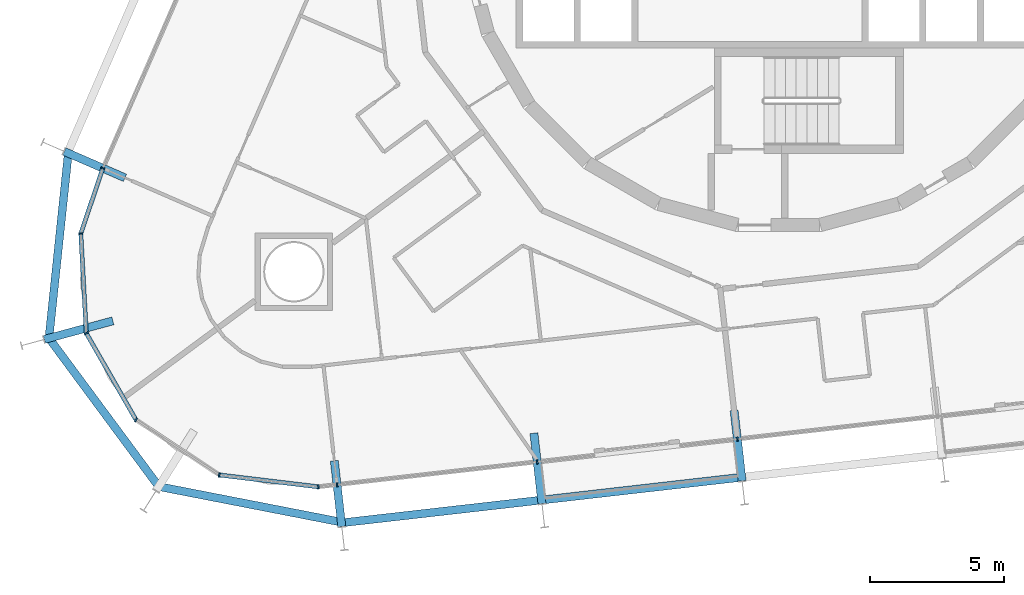
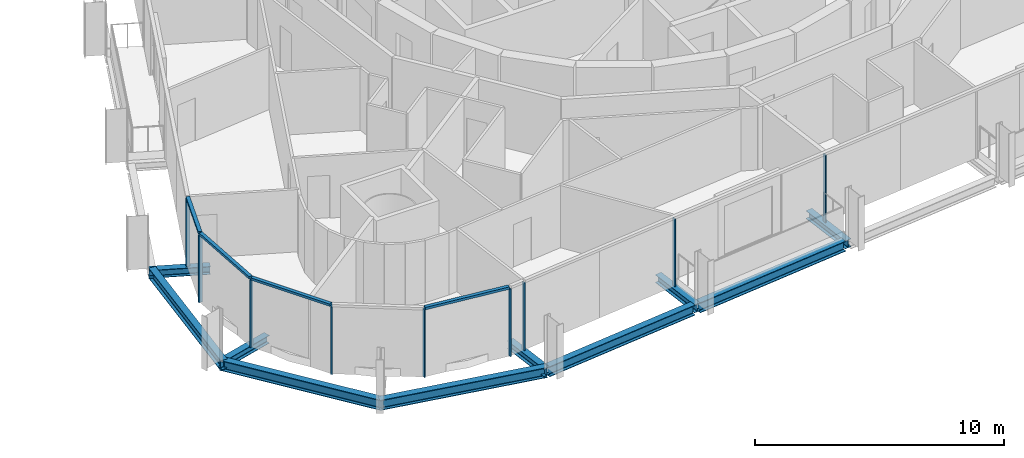
# One storey, part 3 of 23: 13 members, 10 beams, 2 elements without a shape of their own.
"""IFC4 building model written with IfcOpenShell, lengths in metres."""

import ifcopenshell
import ifcopenshell.guid

model = None  # the IFC model being written
_history = None  # IfcOwnerHistory: only IFC2X3 demands one
_inside = {}  # id of a spatial element -> (the spatial element, [elements in it])
_under = {}  # id of a project, library or spatial element -> (it, [spatial elements below it])
_declared = {}  # id of a project -> (the project, [libraries it declares])
_typed = {}  # id of a type object -> (the type object, [elements of that type])
_made_of = {}  # id of a material, layer set ... -> (it, [elements and type objects made of it])


def new_model(schema):
    """Start an empty IFC model of exactly this schema.

    Asked for "IFC4X3", IfcOpenShell would pick the latest addendum, in which some entities
    have other attributes; the version numbers below select the first issue.
    IFC2X3 requires an IfcOwnerHistory on every rooted entity: one is made here for all.
    """
    global model, _history
    if schema == "IFC4X3":
        model = ifcopenshell.file(schema_version=(4, 3, 0, 0))
    else:
        model = ifcopenshell.file(schema=schema)
    _inside.clear()
    _under.clear()
    _declared.clear()
    _typed.clear()
    _made_of.clear()
    _history = None
    if model.schema == "IFC2X3":
        org = make("IfcOrganization", Name="unknown")
        user = make(
            "IfcPersonAndOrganization",
            ThePerson=make("IfcPerson", FamilyName="unknown"),
            TheOrganization=org,
        )
        app = make(
            "IfcApplication",
            ApplicationDeveloper=org,
            Version="unknown",
            ApplicationFullName="unknown",
            ApplicationIdentifier="unknown",
        )
        _history = make(
            "IfcOwnerHistory",
            OwningUser=user,
            OwningApplication=app,
            ChangeAction="ADDED",
            CreationDate=0,
        )
    return model


def make(cls, **values):
    """One entity of the class cls with the attributes given. An attribute that is None is left unset."""
    return model.create_entity(
        cls, **{name: value for name, value in values.items() if value is not None}
    )


def rooted(cls, **values):
    """An entity with a GlobalId (a new one), such as an element, a storey or a relation."""
    return make(cls, GlobalId=ifcopenshell.guid.new(), OwnerHistory=_history, **values)


def si_unit(unit_type, name, prefix=None):
    """IfcSIUnit, for example si_unit("LENGTHUNIT", "METRE", prefix="MILLI")."""
    return make("IfcSIUnit", UnitType=unit_type, Prefix=prefix, Name=name)


def assignment(units):
    """IfcUnitAssignment: the units of a project."""
    return None if units is None else make("IfcUnitAssignment", Units=units)


def point(xyz):
    """IfcCartesianPoint."""
    return None if xyz is None else make("IfcCartesianPoint", Coordinates=xyz)


def direction(xyz):
    """IfcDirection."""
    return None if xyz is None else make("IfcDirection", DirectionRatios=xyz)


def frame(location, z_axis=None, x_axis=None):
    """IfcAxis2Placement3D, a coordinate frame: its origin and axes. An axis left out is left unset."""
    return make(
        "IfcAxis2Placement3D",
        Location=point(location),
        Axis=direction(z_axis),
        RefDirection=direction(x_axis),
    )


def frame_2d(location, x_axis=None):
    """IfcAxis2Placement2D, a coordinate frame in the plane: its origin and x axis."""
    return make(
        "IfcAxis2Placement2D", Location=point(location), RefDirection=direction(x_axis)
    )


def origin():
    """The frame at (0, 0, 0) with its axes left unset."""
    return frame((0.0, 0.0, 0.0))


def origin_2d():
    """The frame at (0, 0) in the plane with its x axis left unset."""
    return frame_2d((0.0, 0.0))


def place(relative_to, where):
    """IfcLocalPlacement: puts the frame where relative to a parent placement (None: the world)."""
    return make(
        "IfcLocalPlacement", PlacementRelTo=relative_to, RelativePlacement=where
    )


def context(
    kind, dimensions, precision=None, world=None, true_north=None, identifier=None
):
    """IfcGeometricRepresentationContext, for example the 3D "Model" context."""
    return make(
        "IfcGeometricRepresentationContext",
        ContextIdentifier=identifier,
        ContextType=kind,
        CoordinateSpaceDimension=dimensions,
        Precision=precision,
        WorldCoordinateSystem=world,
        TrueNorth=true_north,
    )


def subcontext(parent, identifier, kind, view, scale=None):
    """IfcGeometricRepresentationSubContext, for example "Body" below "Model"."""
    return make(
        "IfcGeometricRepresentationSubContext",
        ContextIdentifier=identifier,
        ContextType=kind,
        ParentContext=parent,
        TargetScale=scale,
        TargetView=view,
    )


def project(units=None, contexts=None):
    """IfcProject with its units and contexts."""
    return rooted(
        "IfcProject",
        Name="project",
        RepresentationContexts=contexts,
        UnitsInContext=assignment(units),
    )


def spatial(cls, under=None, at=None, **own):
    """A site, building, storey or space (cls), placed at a placement, below another one or the project."""
    s = rooted(cls, ObjectPlacement=at, **own)
    if under is not None:
        _under.setdefault(under.id(), (under, []))[1].append(s)
    return s


def profile(cls, at=None, kind="AREA", **sizes):
    """A parametric profile (cls). Its sizes go by their IFC names, for example OverallWidth=200.0."""
    return make(cls, ProfileType=kind, Position=at, **sizes)


def rectangle(**sizes):
    """IfcRectangleProfileDef."""
    return profile("IfcRectangleProfileDef", **sizes)


def i_section(**sizes):
    """IfcIShapeProfileDef."""
    return profile("IfcIShapeProfileDef", **sizes)


def extrude(swept, where, along, depth):
    """IfcExtrudedAreaSolid: the profile swept, set in the frame where, extruded along a direction by depth."""
    return make(
        "IfcExtrudedAreaSolid",
        SweptArea=swept,
        Position=where,
        ExtrudedDirection=direction(along),
        Depth=depth,
    )


def shape(context_of_items, identifier, shape_type, items):
    """IfcShapeRepresentation: the items that make up one representation, for example the "Body"."""
    return make(
        "IfcShapeRepresentation",
        ContextOfItems=context_of_items,
        RepresentationIdentifier=identifier,
        RepresentationType=shape_type,
        Items=items,
    )


def material(Name=None, Category=None):
    """IfcMaterial."""
    return make("IfcMaterial", Name=Name, Category=Category)


def layer(
    of_material, thickness, ventilated=None, Name=None, Category=None, Priority=None
):
    """IfcMaterialLayer: one layer of a wall or slab, of a material (None: an air gap)."""
    return make(
        "IfcMaterialLayer",
        Material=of_material,
        LayerThickness=thickness,
        IsVentilated=ventilated,
        Name=Name,
        Category=Category,
        Priority=Priority,
    )


def layer_set(layers, Name=None):
    """IfcMaterialLayerSet."""
    return make("IfcMaterialLayerSet", MaterialLayers=layers, LayerSetName=Name)


def material_profile(
    of_material, cross_section, Name=None, Category=None, Priority=None
):
    """IfcMaterialProfile: a cross section and its material."""
    return make(
        "IfcMaterialProfile",
        Name=Name,
        Material=of_material,
        Profile=cross_section,
        Priority=Priority,
        Category=Category,
    )


def profile_set(profiles, Name=None, composite=None):
    """IfcMaterialProfileSet."""
    return make(
        "IfcMaterialProfileSet",
        Name=Name,
        MaterialProfiles=profiles,
        CompositeProfile=composite,
    )


def made_of(thing, what):
    """Note that an element or type object is made of a material, layer set ...; save() writes the relation."""
    if what is not None:
        _made_of.setdefault(what.id(), (what, []))[1].append(thing)
    return thing


def type_object(cls, material=None, **own):
    """A type object (cls), such as IfcWallType, which elements share."""
    return made_of(rooted(cls, **own), material)


def element(
    cls,
    number,
    at=None,
    inside=None,
    cuts=None,
    type_object=None,
    material=None,
    context=None,
    identifier="Body",
    shape_type=None,
    held_by="IfcProductDefinitionShape",
    body=None,
    shapes=None,
    **own,
):
    """One element of the class cls, such as IfcWall. Its Tag is "e" and its number.

    at: its placement. inside: the storey or other place that contains it. cuts: it is an
    opening in that element (IfcRelVoidsElement). A single representation is given by context,
    identifier, shape_type and body (its items); several are given by shapes. held_by: the class
    of the entity that holds the representations. save() writes the other relations.
    """
    e = rooted(cls, Tag="e%d" % number, ObjectPlacement=at, **own)
    if body is not None:
        shapes = [shape(context, identifier, shape_type, body)]
    if shapes is not None:
        e.Representation = make(held_by, Representations=shapes)
    if inside is not None:
        _inside.setdefault(inside.id(), (inside, []))[1].append(e)
    if cuts is not None:
        rooted(
            "IfcRelVoidsElement", RelatingBuildingElement=cuts, RelatedOpeningElement=e
        )
    if type_object is not None:
        _typed.setdefault(type_object.id(), (type_object, []))[1].append(e)
    return made_of(e, material)


def aggregate(whole, parts):
    """IfcRelAggregates: a whole, such as a stair, and the parts it consists of."""
    return rooted("IfcRelAggregates", RelatingObject=whole, RelatedObjects=parts)


def save(model, path):
    """Write the relations noted so far, then the file.

    IfcRelAggregates (storeys below a building ...), IfcRelContainedInSpatialStructure (elements
    in a storey), IfcRelDefinesByType, IfcRelAssociatesMaterial and IfcRelDeclares: one each for
    every whole, place, type object, material and project.
    """
    for whole, parts in _under.values():
        aggregate(whole, parts)
    for where, things in _inside.values():
        rooted(
            "IfcRelContainedInSpatialStructure",
            RelatedElements=things,
            RelatingStructure=where,
        )
    for kind, things in _typed.values():
        rooted("IfcRelDefinesByType", RelatedObjects=things, RelatingType=kind)
    for what, things in _made_of.values():
        rooted("IfcRelAssociatesMaterial", RelatedObjects=things, RelatingMaterial=what)
    for by, libraries in _declared.values():
        rooted("IfcRelDeclares", RelatingContext=by, RelatedDefinitions=libraries)
    model.write(path)


model = new_model("IFC4")

# Units and contexts
model_context = context("Model", 3, precision=1e-05, world=origin(), true_north=direction((0.0, 1.0)))
body_context = subcontext(model_context, "Body", "Model", "MODEL_VIEW")
ifc_project = project(units=[si_unit("LENGTHUNIT", "METRE"), si_unit("AREAUNIT", "SQUARE_METRE"), si_unit("VOLUMEUNIT", "CUBIC_METRE"), si_unit("PLANEANGLEUNIT", "RADIAN"), si_unit("MASSUNIT", "GRAM", prefix="KILO")], contexts=[model_context])

# Site, building, storey
site_placement = place(None, origin())
site = spatial("IfcSite", under=ifc_project, at=site_placement, CompositionType="ELEMENT")
building_placement = place(site_placement, origin())
building = spatial("IfcBuilding", under=site, at=building_placement, Name="Spindle Arch Residences", CompositionType="ELEMENT")
storey_placement = place(building_placement, frame((0.0, 0.0, 104.699951171875)))
storey = spatial("IfcBuildingStorey", under=building, at=storey_placement, Name="L25", CompositionType="ELEMENT", Elevation=104.699951171875)

# Curtain wall, members
ifc_material_1 = material(Name="Aluminium bronze unitised frame with tinted glass", Category="aluminium")
ifc_layer_1 = layer(ifc_material_1, 0.159912109375)
ifc_layer_set_1 = layer_set([ifc_layer_1], Name="CW-D corner wall on the fillet arcs")
curtain_wall_type_1 = type_object("IfcCurtainWallType", Name="CW-D corner wall on the fillet arcs", PredefinedType="NOTDEFINED", material=ifc_layer_set_1)
curtain_wall_1_placement = place(storey_placement, origin())
curtain_wall_1 = element("IfcCurtainWall", 1, at=curtain_wall_1_placement, inside=storey, type_object=curtain_wall_type_1, Name="CW-D L25 run 5", PredefinedType="NOTDEFINED")
ifc_material_2 = material(Name="Aluminium bronze anodised mullion", Category="aluminium")
ifc_material_profile_1 = material_profile(ifc_material_2, rectangle(XDim=0.159912109375, YDim=0.06005859375, at=origin_2d()), Name="MU 60x160")
ifc_profile_set_1 = profile_set([ifc_material_profile_1], Name="Aluminium bronze anodised mullion")
member_type_1 = type_object("IfcMemberType", Name="Bronze mullion 60x160", PredefinedType="MULLION", material=ifc_profile_set_1)
member_1_placement = place(storey_placement, frame((-25.22900390625, -9.527099609375, -0.3798828125), z_axis=(0.0, 0.0, 1.0), x_axis=(0.947509671237, -0.319727106941, 0.0)))
member_1 = element("IfcMember", 2, at=member_1_placement, type_object=member_type_1, Name="CW-D mullion 00", PredefinedType="MULLION", context=body_context, shape_type="SweptSolid", body=[
    extrude(rectangle(XDim=0.159912109375, YDim=0.06005859375, at=origin_2d()), origin(), (0.0, 0.0, 1.0), 3.309814453125),
])
member_2_placement = place(storey_placement, frame((-26.052001953125, -11.96630859375, -0.3798828125), z_axis=(0.0, 0.0, 1.0), x_axis=(0.998473071057, 0.055240622495, 0.0)))
member_2 = element("IfcMember", 3, at=member_2_placement, type_object=member_type_1, Name="CW-D mullion 01", PredefinedType="MULLION", context=body_context, shape_type="SweptSolid", body=[
    extrude(rectangle(XDim=0.159912109375, YDim=0.06005859375, at=origin_2d()), origin(), (0.0, 0.0, 1.0), 3.309814453125),
])
member_3_placement = place(storey_placement, frame((-25.84619140625, -15.687255859375, -0.3798828125), z_axis=(0.0, 0.0, 1.0), x_axis=(0.867476179247, 0.497478721595, 0.0)))
member_3 = element("IfcMember", 4, at=member_3_placement, type_object=member_type_1, Name="CW-D mullion 02", PredefinedType="MULLION", context=body_context, shape_type="SweptSolid", body=[
    extrude(rectangle(XDim=0.159912109375, YDim=0.06005859375, at=origin_2d()), origin(), (0.0, 0.0, 1.0), 3.309814453125),
])
member_4_placement = place(storey_placement, frame((-23.9921875, -18.920166015625, -0.3798828125), z_axis=(0.0, 0.0, 1.0), x_axis=(0.551936987903, 0.833885820352, 0.0)))
member_4 = element("IfcMember", 5, at=member_4_placement, type_object=member_type_1, Name="CW-D mullion 03", PredefinedType="MULLION", context=body_context, shape_type="SweptSolid", body=[
    extrude(rectangle(XDim=0.159912109375, YDim=0.06005859375, at=origin_2d()), origin(), (0.0, 0.0, 1.0), 3.309814453125),
])
member_5_placement = place(storey_placement, frame((-20.884521484375, -20.97705078125, -0.3798828125), z_axis=(0.0, 0.0, 1.0), x_axis=(0.118981636756, 0.992896454881, 0.0)))
member_5 = element("IfcMember", 6, at=member_5_placement, type_object=member_type_1, Name="CW-D mullion 04", PredefinedType="MULLION", context=body_context, shape_type="SweptSolid", body=[
    extrude(rectangle(XDim=0.159912109375, YDim=0.06005859375, at=origin_2d()), origin(), (0.0, 0.0, 1.0), 3.309814453125),
])
member_6_placement = place(storey_placement, frame((-17.18408203125, -21.42041015625, -0.3798828125), z_axis=(0.0, 0.0, 1.0), x_axis=(-0.113203213768, 0.993571855677, 0.0)))
member_6 = element("IfcMember", 7, at=member_6_placement, type_object=member_type_1, Name="CW-D mullion 05", PredefinedType="MULLION", context=body_context, shape_type="SweptSolid", body=[
    extrude(rectangle(XDim=0.159912109375, YDim=0.06005859375, at=origin_2d()), origin(), (0.0, 0.0, 1.0), 3.309814453125),
])

ifc_material_3 = material(Name="Aluminium bronze unitised frame with tinted glass", Category="aluminium")
ifc_layer_2 = layer(ifc_material_3, 0.159912109375)
ifc_layer_set_2 = layer_set([ifc_layer_2], Name="CW-C typical residential unitised wall")
curtain_wall_type_2 = type_object("IfcCurtainWallType", Name="CW-C typical residential unitised wall", PredefinedType="NOTDEFINED", material=ifc_layer_set_2)
curtain_wall_2_placement = place(storey_placement, origin())
curtain_wall_2 = element("IfcCurtainWall", 8, at=curtain_wall_2_placement, inside=storey, type_object=curtain_wall_type_2, Name="CW-C L25 run 6", PredefinedType="NOTDEFINED")
member_7_placement = place(storey_placement, frame((-16.487060546875, -21.341064453125, -0.3798828125), z_axis=(0.0, 0.0, 1.0), x_axis=(-0.113203213768, 0.993571855677, 0.0)))
member_7 = element("IfcMember", 9, at=member_7_placement, type_object=member_type_1, Name="CW-C mullion 21", PredefinedType="MULLION", context=body_context, shape_type="SweptSolid", body=[
    extrude(rectangle(XDim=0.159912109375, YDim=0.06005859375, at=origin_2d()), origin(), (0.0, 0.0, 1.0), 3.309814453125),
])
member_8_placement = place(storey_placement, frame((-9.0166015625, -20.489990234375, -0.3798828125), z_axis=(0.0, 0.0, 1.0), x_axis=(-0.113203213768, 0.993571855677, 0.0)))
member_8 = element("IfcMember", 10, at=member_8_placement, type_object=member_type_1, Name="CW-C mullion 22", PredefinedType="MULLION", context=body_context, shape_type="SweptSolid", body=[
    extrude(rectangle(XDim=0.159912109375, YDim=0.06005859375, at=origin_2d()), origin(), (0.0, 0.0, 1.0), 3.309814453125),
])
member_9_placement = place(storey_placement, frame((-1.546142578125, -19.638671875, -0.3798828125), z_axis=(0.0, 0.0, 1.0), x_axis=(-0.113203213768, 0.993571855677, 0.0)))
member_9 = element("IfcMember", 11, at=member_9_placement, type_object=member_type_1, Name="CW-C mullion 23", PredefinedType="MULLION", context=body_context, shape_type="SweptSolid", body=[
    extrude(rectangle(XDim=0.159912109375, YDim=0.06005859375, at=origin_2d()), origin(), (0.0, 0.0, 1.0), 3.309814453125),
])
aggregate(curtain_wall_2, [member_7, member_8, member_9])

# Member
ifc_material_4 = material(Name="Aluminium bronze anodised transom", Category="aluminium")
ifc_material_profile_2 = material_profile(ifc_material_4, rectangle(XDim=0.159912109375, YDim=0.1201171875, at=origin_2d()), Name="TR 120x160")
ifc_profile_set_2 = profile_set([ifc_material_profile_2], Name="Aluminium bronze anodised transom")
member_type_2 = type_object("IfcMemberType", Name="Bronze transom 120x160", PredefinedType="USERDEFINED", material=ifc_profile_set_2)
member_10_placement = place(storey_placement, frame((-25.238525390625, -9.5556640625, 2.989990234375), z_axis=(-0.319779733892, -0.947491911201, 0.0), x_axis=(0.947491911201, -0.319779733892, 0.0)))
member_10 = element("IfcMember", 12, at=member_10_placement, type_object=member_type_2, Name="CW-D transom 00", ObjectType="TRANSOM", PredefinedType="USERDEFINED", context=body_context, shape_type="SweptSolid", body=[
    extrude(rectangle(XDim=0.159912109375, YDim=0.1201171875, at=origin_2d()), origin(), (0.0, 0.0, 1.0), 2.51416015625),
])

member_11_placement = place(storey_placement, frame((-26.05029296875, -11.99609375, 2.989990234375), z_axis=(0.055197130558, -0.998475476303, 0.0), x_axis=(0.998475476303, 0.055197130558, 0.0)))
member_11 = element("IfcMember", 13, at=member_11_placement, type_object=member_type_2, Name="CW-D transom 01", ObjectType="TRANSOM", PredefinedType="USERDEFINED", context=body_context, shape_type="SweptSolid", body=[
    extrude(rectangle(XDim=0.159912109375, YDim=0.1201171875, at=origin_2d()), origin(), (0.0, 0.0, 1.0), 3.666748046875),
])

member_12_placement = place(storey_placement, frame((-25.831298828125, -15.71337890625, 2.989990234375), z_axis=(0.497515065253, -0.867455335937, 0.0), x_axis=(0.867455335937, 0.497515065253, 0.0)))
member_12 = element("IfcMember", 14, at=member_12_placement, type_object=member_type_2, Name="CW-D transom 02", ObjectType="TRANSOM", PredefinedType="USERDEFINED", context=body_context, shape_type="SweptSolid", body=[
    extrude(rectangle(XDim=0.159912109375, YDim=0.1201171875, at=origin_2d()), origin(), (0.0, 0.0, 1.0), 3.666748046875),
])

member_13_placement = place(storey_placement, frame((-20.854736328125, -20.980712890625, 2.989990234375), z_axis=(0.992896987084, -0.118977195462, 0.0), x_axis=(0.118977195462, 0.992896987084, 0.0)))
member_13 = element("IfcMember", 15, at=member_13_placement, type_object=member_type_2, Name="CW-D transom 04", ObjectType="TRANSOM", PredefinedType="USERDEFINED", context=body_context, shape_type="SweptSolid", body=[
    extrude(rectangle(XDim=0.159912109375, YDim=0.1201171875, at=origin_2d()), origin(), (0.0, 0.0, 1.0), 3.6669921875),
])

aggregate(curtain_wall_1, [member_1, member_10, member_2, member_11, member_3, member_12, member_4, member_5, member_13, member_6])

# Beams
ifc_material_5 = material(Name="Steel S460ML, intumescent coating R 120", Category="steel")
ifc_material_profile_3 = material_profile(ifc_material_5, i_section(OverallWidth=0.300048828125, OverallDepth=0.5, WebThickness=0.014404296875, FlangeThickness=0.028076171875, FilletRadius=0.027099609375, at=origin_2d()), Name="HEB 500")
ifc_profile_set_3 = profile_set([ifc_material_profile_3], Name="Steel S460ML, intumescent coating R 120")
beam_type_1 = type_object("IfcBeamType", Name="Exoskeleton edge beam HEB 500", PredefinedType="BEAM", material=ifc_profile_set_3)
beam_1_placement = place(storey_placement, frame((-26.509521484375, -8.8935546875, -0.6298828125), z_axis=(-0.104068514681, -0.994570130384, 0.0), x_axis=(0.994570130384, -0.104068514681, 0.0)))
element("IfcBeam", 16, at=beam_1_placement, inside=storey, type_object=beam_type_1, Name="Exoskeleton edge beam 19", PredefinedType="BEAM", context=body_context, shape_type="SweptSolid", body=[
    extrude(i_section(OverallWidth=0.300048828125, OverallDepth=0.5, WebThickness=0.014404296875, FlangeThickness=0.028076171875, FilletRadius=0.027099609375, at=origin_2d()), origin(), (0.0, 0.0, 1.0), 7.09423828125),
])
beam_2_placement = place(storey_placement, frame((-27.297607421875, -15.791259765625, -0.6298828125), z_axis=(0.594811393653, -0.803865290942, 0.0), x_axis=(0.803865290942, 0.594811393653, 0.0)))
element("IfcBeam", 17, at=beam_2_placement, inside=storey, type_object=beam_type_1, Name="Exoskeleton edge beam 20", PredefinedType="BEAM", context=body_context, shape_type="SweptSolid", body=[
    extrude(i_section(OverallWidth=0.300048828125, OverallDepth=0.5, WebThickness=0.014404296875, FlangeThickness=0.028076171875, FilletRadius=0.027099609375, at=origin_2d()), origin(), (0.0, 0.0, 1.0), 7.08642578125),
])
beam_3_placement = place(storey_placement, frame((-23.218994140625, -21.39404296875, -0.6298828125), z_axis=(0.981537577594, -0.191269401033, 0.0), x_axis=(0.191269401033, 0.981537577594, 0.0)))
element("IfcBeam", 18, at=beam_3_placement, inside=storey, type_object=beam_type_1, Name="Exoskeleton edge beam 21", PredefinedType="BEAM", context=body_context, shape_type="SweptSolid", body=[
    extrude(i_section(OverallWidth=0.300048828125, OverallDepth=0.5, WebThickness=0.014404296875, FlangeThickness=0.028076171875, FilletRadius=0.027099609375, at=origin_2d()), origin(), (0.0, 0.0, 1.0), 7.09423828125),
])
for number, where, z_axis, x_axis, name in (
    (19, (-16.19580078125, -22.750244140625, -0.6298828125), (0.993570992395, 0.11321079044, 0.0), (-0.11321079044, 0.993570992395, 0.0), "Exoskeleton edge beam 22"),
    (20, (-8.725341796875, -21.899169921875, -0.6298828125), (0.993570992395, 0.11321079044, 0.0), (-0.11321079044, 0.993570992395, 0.0), "Exoskeleton edge beam 23"),
):
    element("IfcBeam", number, at=place(storey_placement, frame(where, z_axis=z_axis, x_axis=x_axis)), inside=storey, type_object=beam_type_1, Name=name, PredefinedType="BEAM", context=body_context, shape_type="SweptSolid", body=[
        extrude(i_section(OverallWidth=0.300048828125, OverallDepth=0.5, WebThickness=0.014404296875, FlangeThickness=0.028076171875, FilletRadius=0.027099609375, at=origin_2d()), origin(), (0.0, 0.0, 1.0), 7.2587890625),
    ])
ifc_material_6 = material(Name="Steel S460ML, intumescent coating R 120", Category="steel")
ifc_material_profile_4 = material_profile(ifc_material_6, i_section(OverallWidth=0.300048828125, OverallDepth=0.389892578125, WebThickness=0.010986328125, FlangeThickness=0.01904296875, FilletRadius=0.027099609375, at=origin_2d()), Name="HEA 400")
ifc_profile_set_4 = profile_set([ifc_material_profile_4], Name="Steel S460ML, intumescent coating R 120")
beam_type_2 = type_object("IfcBeamType", Name="Floor outrigger HEA 400", PredefinedType="BEAM", material=ifc_profile_set_4)
beam_4_placement = place(storey_placement, frame((-26.668701171875, -8.901123046875, -0.574951171875), z_axis=(0.917057489876, -0.398755012836, 0.0), x_axis=(0.398755012836, 0.917057489876, 0.0)))
element("IfcBeam", 21, at=beam_4_placement, inside=storey, type_object=beam_type_2, Name="Floor outrigger 19", PredefinedType="BEAM", context=body_context, shape_type="SweptSolid", body=[
    extrude(i_section(OverallWidth=0.300048828125, OverallDepth=0.389892578125, WebThickness=0.010986328125, FlangeThickness=0.01904296875, FilletRadius=0.027099609375, at=origin_2d()), origin(), (0.0, 0.0, 1.0), 2.47119140625),
])
beam_5_placement = place(storey_placement, frame((-27.41259765625, -15.918212890625, -0.574951171875), z_axis=(0.965139144412, 0.261737333837, 0.0), x_axis=(-0.261737333837, 0.965139144412, 0.0)))
element("IfcBeam", 22, at=beam_5_placement, inside=storey, type_object=beam_type_2, Name="Floor outrigger 20", PredefinedType="BEAM", context=body_context, shape_type="SweptSolid", body=[
    extrude(i_section(OverallWidth=0.300048828125, OverallDepth=0.389892578125, WebThickness=0.010986328125, FlangeThickness=0.01904296875, FilletRadius=0.027099609375, at=origin_2d()), origin(), (0.0, 0.0, 1.0), 2.64990234375),
])
beam_6_placement = place(storey_placement, frame((-16.309326171875, -22.90087890625, -0.574951171875), z_axis=(-0.113228917078, 0.993568926818, 0.0), x_axis=(-0.993568926818, -0.113228917078, 0.0)))
element("IfcBeam", 23, at=beam_6_placement, inside=storey, type_object=beam_type_2, Name="Floor outrigger 22", PredefinedType="BEAM", context=body_context, shape_type="SweptSolid", body=[
    extrude(i_section(OverallWidth=0.300048828125, OverallDepth=0.389892578125, WebThickness=0.010986328125, FlangeThickness=0.01904296875, FilletRadius=0.027099609375, at=origin_2d()), origin(), (0.0, 0.0, 1.0), 2.470947265625),
])
beam_7_placement = place(storey_placement, frame((-8.8388671875, -22.0498046875, -0.574951171875), z_axis=(-0.113232173128, 0.993568555747, 0.0), x_axis=(-0.993568555747, -0.113232173128, 0.0)))
element("IfcBeam", 24, at=beam_7_placement, inside=storey, type_object=beam_type_2, Name="Floor outrigger 23", PredefinedType="BEAM", context=body_context, shape_type="SweptSolid", body=[
    extrude(i_section(OverallWidth=0.300048828125, OverallDepth=0.389892578125, WebThickness=0.010986328125, FlangeThickness=0.01904296875, FilletRadius=0.027099609375, at=origin_2d()), origin(), (0.0, 0.0, 1.0), 2.64990234375),
])
beam_8_placement = place(storey_placement, frame((-1.368408203125, -21.19873046875, -0.574951171875), z_axis=(-0.113221808681, 0.993569736878, 0.0), x_axis=(-0.993569736878, -0.113221808681, 0.0)))
element("IfcBeam", 25, at=beam_8_placement, inside=storey, type_object=beam_type_2, Name="Floor outrigger 24", PredefinedType="BEAM", context=body_context, shape_type="SweptSolid", body=[
    extrude(i_section(OverallWidth=0.300048828125, OverallDepth=0.389892578125, WebThickness=0.010986328125, FlangeThickness=0.01904296875, FilletRadius=0.027099609375, at=origin_2d()), origin(), (0.0, 0.0, 1.0), 2.650146484375),
])

save(model, "model.ifc")
